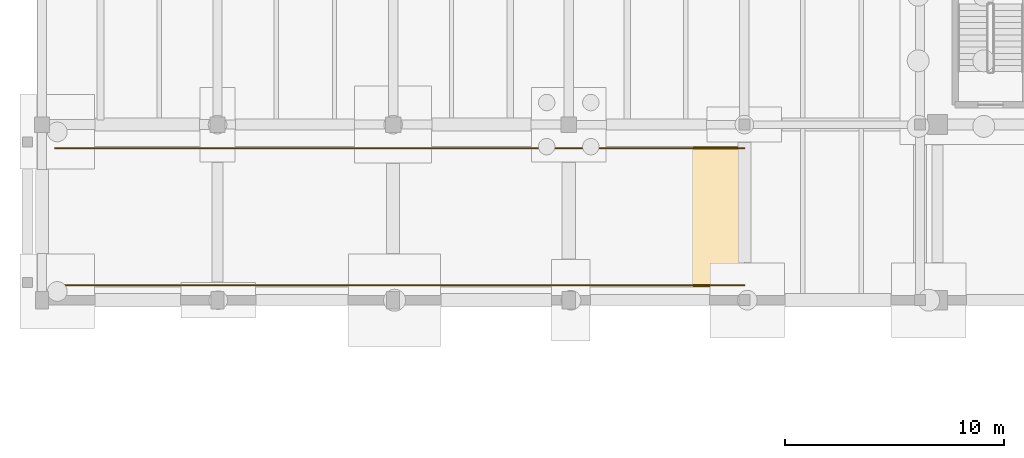
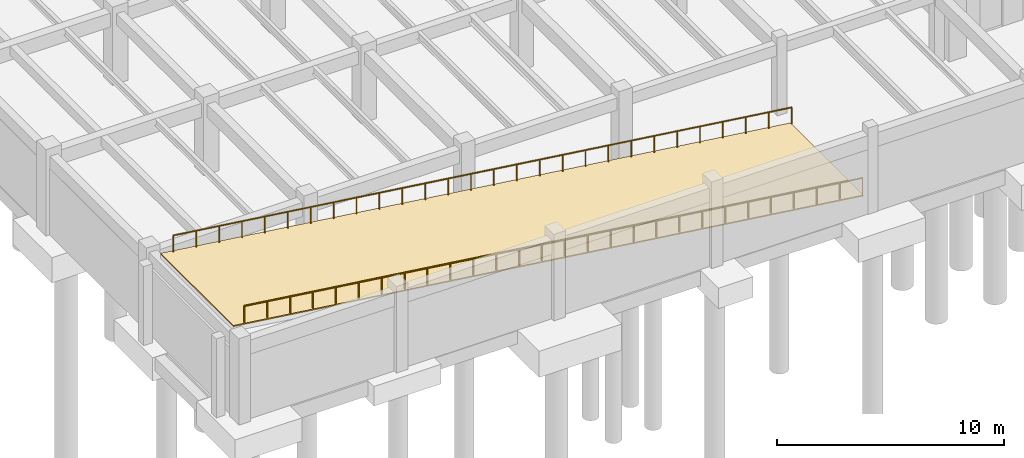
# One storey, part 18 of 25: 2 railings, 1 covering.
"""IFC4 building model written with IfcOpenShell, lengths in metres."""

from ifc_helpers import new_model, si_unit, direction, frame, origin, origin_2d, place, context, subcontext, project, spatial, polyline, circle, outline, extrude, material, layer, layer_set, type_object, element, save


model = new_model("IFC4")

# Units and contexts
model_context = context("Model", 3, precision=1e-05, world=origin(), true_north=direction((0.0, 1.0)))
body_context = subcontext(model_context, "Body", "Model", "MODEL_VIEW")
ifc_project = project(units=[si_unit("LENGTHUNIT", "METRE"), si_unit("AREAUNIT", "SQUARE_METRE"), si_unit("VOLUMEUNIT", "CUBIC_METRE"), si_unit("PLANEANGLEUNIT", "RADIAN"), si_unit("MASSUNIT", "GRAM", prefix="KILO")], contexts=[model_context])

# Site, building, storey
site_placement = place(None, origin())
site = spatial("IfcSite", under=ifc_project, at=site_placement, CompositionType="ELEMENT")
building_placement = place(site_placement, origin())
building = spatial("IfcBuilding", under=site, at=building_placement, Name="Tlaxcora Railside Police Headquarters", CompositionType="ELEMENT")
storey_placement = place(building_placement, frame((0.0, 0.0, -4.199951171875)))
storey = spatial("IfcBuildingStorey", under=building, at=storey_placement, Name="B1", CompositionType="ELEMENT", Elevation=-4.199951171875)

# Railings
ifc_material_1 = material(Name="Steel ASTM A992 Grade 50", Category="steel")
railing_type = type_object("IfcRailingType", Name="Stair and Ramp Handrail HR-01", PredefinedType="HANDRAIL", material=ifc_material_1)
railing_1_placement = place(storey_placement, frame((37.199951171875, 44.679931640625, 0.0)))
element("IfcRailing", 1, at=railing_1_placement, inside=storey, type_object=railing_type, Name="Vehicle ramp safety handrail 1", PredefinedType="HANDRAIL", context=body_context, shape_type="SweptSolid", body=[
    extrude(circle(Radius=0.02392578125, at=origin_2d()), frame((0.0, 0.0, 0.8759765625), z_axis=(-0.991501984781, 0.0, 0.130091560741), x_axis=(0.0, -1.0, 0.0)), (0.0, 0.0, 1.0), 31.6689453125),
    extrude(circle(Radius=0.02099609375, at=origin_2d()), origin(), (0.0, 0.0, 1.0), 0.851806640625),
    extrude(circle(Radius=0.02099609375, at=origin_2d()), frame((-1.162841796875, 0.0, 0.152587890625)), (0.0, 0.0, 1.0), 0.851806640625),
    extrude(circle(Radius=0.02099609375, at=origin_2d()), frame((-2.325927734375, 0.0, 0.30517578125)), (0.0, 0.0, 1.0), 0.851806640625),
    extrude(circle(Radius=0.02099609375, at=origin_2d()), frame((-3.48876953125, 0.0, 0.457763671875)), (0.0, 0.0, 1.0), 0.851806640625),
    extrude(circle(Radius=0.02099609375, at=origin_2d()), frame((-4.65185546875, 0.0, 0.6103515625)), (0.0, 0.0, 1.0), 0.851806640625),
    extrude(circle(Radius=0.02099609375, at=origin_2d()), frame((-5.814697265625, 0.0, 0.762939453125)), (0.0, 0.0, 1.0), 0.851806640625),
    extrude(circle(Radius=0.02099609375, at=origin_2d()), frame((-6.977783203125, 0.0, 0.91552734375)), (0.0, 0.0, 1.0), 0.851806640625),
    extrude(circle(Radius=0.02099609375, at=origin_2d()), frame((-8.140625, 0.0, 1.068115234375)), (0.0, 0.0, 1.0), 0.851806640625),
    extrude(circle(Radius=0.02099609375, at=origin_2d()), frame((-9.3037109375, 0.0, 1.220703125)), (0.0, 0.0, 1.0), 0.851806640625),
    extrude(circle(Radius=0.02099609375, at=origin_2d()), frame((-10.466552734375, 0.0, 1.373291015625)), (0.0, 0.0, 1.0), 0.851806640625),
    extrude(circle(Radius=0.02099609375, at=origin_2d()), frame((-11.629638671875, 0.0, 1.52587890625)), (0.0, 0.0, 1.0), 0.851806640625),
    extrude(circle(Radius=0.02099609375, at=origin_2d()), frame((-12.79248046875, 0.0, 1.678466796875)), (0.0, 0.0, 1.0), 0.851806640625),
    extrude(circle(Radius=0.02099609375, at=origin_2d()), frame((-13.95556640625, 0.0, 1.8310546875)), (0.0, 0.0, 1.0), 0.851806640625),
    extrude(circle(Radius=0.02099609375, at=origin_2d()), frame((-15.118408203125, 0.0, 1.983642578125)), (0.0, 0.0, 1.0), 0.851806640625),
    extrude(circle(Radius=0.02099609375, at=origin_2d()), frame((-16.281494140625, 0.0, 2.13623046875)), (0.0, 0.0, 1.0), 0.851806640625),
    extrude(circle(Radius=0.02099609375, at=origin_2d()), frame((-17.4443359375, 0.0, 2.288818359375)), (0.0, 0.0, 1.0), 0.851806640625),
    extrude(circle(Radius=0.02099609375, at=origin_2d()), frame((-18.607421875, 0.0, 2.44140625)), (0.0, 0.0, 1.0), 0.851806640625),
    extrude(circle(Radius=0.02099609375, at=origin_2d()), frame((-19.770263671875, 0.0, 2.593994140625)), (0.0, 0.0, 1.0), 0.851806640625),
    extrude(circle(Radius=0.02099609375, at=origin_2d()), frame((-20.933349609375, 0.0, 2.74658203125)), (0.0, 0.0, 1.0), 0.851806640625),
    extrude(circle(Radius=0.02099609375, at=origin_2d()), frame((-22.09619140625, 0.0, 2.899169921875)), (0.0, 0.0, 1.0), 0.851806640625),
    extrude(circle(Radius=0.02099609375, at=origin_2d()), frame((-23.25927734375, 0.0, 3.0517578125)), (0.0, 0.0, 1.0), 0.851806640625),
    extrude(circle(Radius=0.02099609375, at=origin_2d()), frame((-24.422119140625, 0.0, 3.204345703125)), (0.0, 0.0, 1.0), 0.851806640625),
    extrude(circle(Radius=0.02099609375, at=origin_2d()), frame((-25.585205078125, 0.0, 3.35693359375)), (0.0, 0.0, 1.0), 0.851806640625),
    extrude(circle(Radius=0.02099609375, at=origin_2d()), frame((-26.748046875, 0.0, 3.509521484375)), (0.0, 0.0, 1.0), 0.851806640625),
    extrude(circle(Radius=0.02099609375, at=origin_2d()), frame((-27.9111328125, 0.0, 3.662109375)), (0.0, 0.0, 1.0), 0.851806640625),
    extrude(circle(Radius=0.02099609375, at=origin_2d()), frame((-29.073974609375, 0.0, 3.814697265625)), (0.0, 0.0, 1.0), 0.851806640625),
    extrude(circle(Radius=0.02099609375, at=origin_2d()), frame((-30.237060546875, 0.0, 3.96728515625)), (0.0, 0.0, 1.0), 0.851806640625),
    extrude(circle(Radius=0.02099609375, at=origin_2d()), frame((-31.39990234375, 0.0, 4.119873046875)), (0.0, 0.0, 1.0), 0.851806640625),
])
railing_2_placement = place(storey_placement, frame((37.199951171875, 50.919921875, 0.0)))
element("IfcRailing", 2, at=railing_2_placement, inside=storey, type_object=railing_type, Name="Vehicle ramp safety handrail 2", PredefinedType="HANDRAIL", context=body_context, shape_type="SweptSolid", body=[
    extrude(circle(Radius=0.02392578125, at=origin_2d()), frame((0.0, 0.0, 0.8759765625), z_axis=(-0.991501984781, 0.0, 0.130091560741), x_axis=(0.0, -1.0, 0.0)), (0.0, 0.0, 1.0), 31.6689453125),
    extrude(circle(Radius=0.02099609375, at=origin_2d()), origin(), (0.0, 0.0, 1.0), 0.851806640625),
    extrude(circle(Radius=0.02099609375, at=origin_2d()), frame((-1.162841796875, 0.0, 0.152587890625)), (0.0, 0.0, 1.0), 0.851806640625),
    extrude(circle(Radius=0.02099609375, at=origin_2d()), frame((-2.325927734375, 0.0, 0.30517578125)), (0.0, 0.0, 1.0), 0.851806640625),
    extrude(circle(Radius=0.02099609375, at=origin_2d()), frame((-3.48876953125, 0.0, 0.457763671875)), (0.0, 0.0, 1.0), 0.851806640625),
    extrude(circle(Radius=0.02099609375, at=origin_2d()), frame((-4.65185546875, 0.0, 0.6103515625)), (0.0, 0.0, 1.0), 0.851806640625),
    extrude(circle(Radius=0.02099609375, at=origin_2d()), frame((-5.814697265625, 0.0, 0.762939453125)), (0.0, 0.0, 1.0), 0.851806640625),
    extrude(circle(Radius=0.02099609375, at=origin_2d()), frame((-6.977783203125, 0.0, 0.91552734375)), (0.0, 0.0, 1.0), 0.851806640625),
    extrude(circle(Radius=0.02099609375, at=origin_2d()), frame((-8.140625, 0.0, 1.068115234375)), (0.0, 0.0, 1.0), 0.851806640625),
    extrude(circle(Radius=0.02099609375, at=origin_2d()), frame((-9.3037109375, 0.0, 1.220703125)), (0.0, 0.0, 1.0), 0.851806640625),
    extrude(circle(Radius=0.02099609375, at=origin_2d()), frame((-10.466552734375, 0.0, 1.373291015625)), (0.0, 0.0, 1.0), 0.851806640625),
    extrude(circle(Radius=0.02099609375, at=origin_2d()), frame((-11.629638671875, 0.0, 1.52587890625)), (0.0, 0.0, 1.0), 0.851806640625),
    extrude(circle(Radius=0.02099609375, at=origin_2d()), frame((-12.79248046875, 0.0, 1.678466796875)), (0.0, 0.0, 1.0), 0.851806640625),
    extrude(circle(Radius=0.02099609375, at=origin_2d()), frame((-13.95556640625, 0.0, 1.8310546875)), (0.0, 0.0, 1.0), 0.851806640625),
    extrude(circle(Radius=0.02099609375, at=origin_2d()), frame((-15.118408203125, 0.0, 1.983642578125)), (0.0, 0.0, 1.0), 0.851806640625),
    extrude(circle(Radius=0.02099609375, at=origin_2d()), frame((-16.281494140625, 0.0, 2.13623046875)), (0.0, 0.0, 1.0), 0.851806640625),
    extrude(circle(Radius=0.02099609375, at=origin_2d()), frame((-17.4443359375, 0.0, 2.288818359375)), (0.0, 0.0, 1.0), 0.851806640625),
    extrude(circle(Radius=0.02099609375, at=origin_2d()), frame((-18.607421875, 0.0, 2.44140625)), (0.0, 0.0, 1.0), 0.851806640625),
    extrude(circle(Radius=0.02099609375, at=origin_2d()), frame((-19.770263671875, 0.0, 2.593994140625)), (0.0, 0.0, 1.0), 0.851806640625),
    extrude(circle(Radius=0.02099609375, at=origin_2d()), frame((-20.933349609375, 0.0, 2.74658203125)), (0.0, 0.0, 1.0), 0.851806640625),
    extrude(circle(Radius=0.02099609375, at=origin_2d()), frame((-22.09619140625, 0.0, 2.899169921875)), (0.0, 0.0, 1.0), 0.851806640625),
    extrude(circle(Radius=0.02099609375, at=origin_2d()), frame((-23.25927734375, 0.0, 3.0517578125)), (0.0, 0.0, 1.0), 0.851806640625),
    extrude(circle(Radius=0.02099609375, at=origin_2d()), frame((-24.422119140625, 0.0, 3.204345703125)), (0.0, 0.0, 1.0), 0.851806640625),
    extrude(circle(Radius=0.02099609375, at=origin_2d()), frame((-25.585205078125, 0.0, 3.35693359375)), (0.0, 0.0, 1.0), 0.851806640625),
    extrude(circle(Radius=0.02099609375, at=origin_2d()), frame((-26.748046875, 0.0, 3.509521484375)), (0.0, 0.0, 1.0), 0.851806640625),
    extrude(circle(Radius=0.02099609375, at=origin_2d()), frame((-27.9111328125, 0.0, 3.662109375)), (0.0, 0.0, 1.0), 0.851806640625),
    extrude(circle(Radius=0.02099609375, at=origin_2d()), frame((-29.073974609375, 0.0, 3.814697265625)), (0.0, 0.0, 1.0), 0.851806640625),
    extrude(circle(Radius=0.02099609375, at=origin_2d()), frame((-30.237060546875, 0.0, 3.96728515625)), (0.0, 0.0, 1.0), 0.851806640625),
    extrude(circle(Radius=0.02099609375, at=origin_2d()), frame((-31.39990234375, 0.0, 4.119873046875)), (0.0, 0.0, 1.0), 0.851806640625),
])

# Covering
ifc_material_2 = material(Name="Concrete C40/50", Category="concrete")
ifc_layer = layer(ifc_material_2, 0.06005859375, Name="Concrete C40/50")
ifc_layer_set = layer_set([ifc_layer], Name="Concrete C40/50")
covering_type = type_object("IfcCoveringType", Name="Vehicle Ramp Grooved Surface VRF-01", PredefinedType="FLOORING", material=ifc_layer_set)
covering_placement = place(storey_placement, frame((5.199951171875, 51.0, 0.0), z_axis=(0.0, -1.0, 0.0), x_axis=(1.0, 0.0, 0.0)))
element("IfcCovering", 3, at=covering_placement, inside=storey, type_object=covering_type, Name="Car park vehicle ramp R1 grooved surface", PredefinedType="FLOORING", context=body_context, shape_type="SweptSolid", body=[
    extrude(outline(polyline([(0.0, 4.139404296875), (32.0, -0.060546875), (32.0, 0.0), (0.0, 4.199951171875), (0.0, 4.139404296875)])), origin(), (0.0, 0.0, 1.0), 6.39990234375),
])

save(model, "model.ifc")
